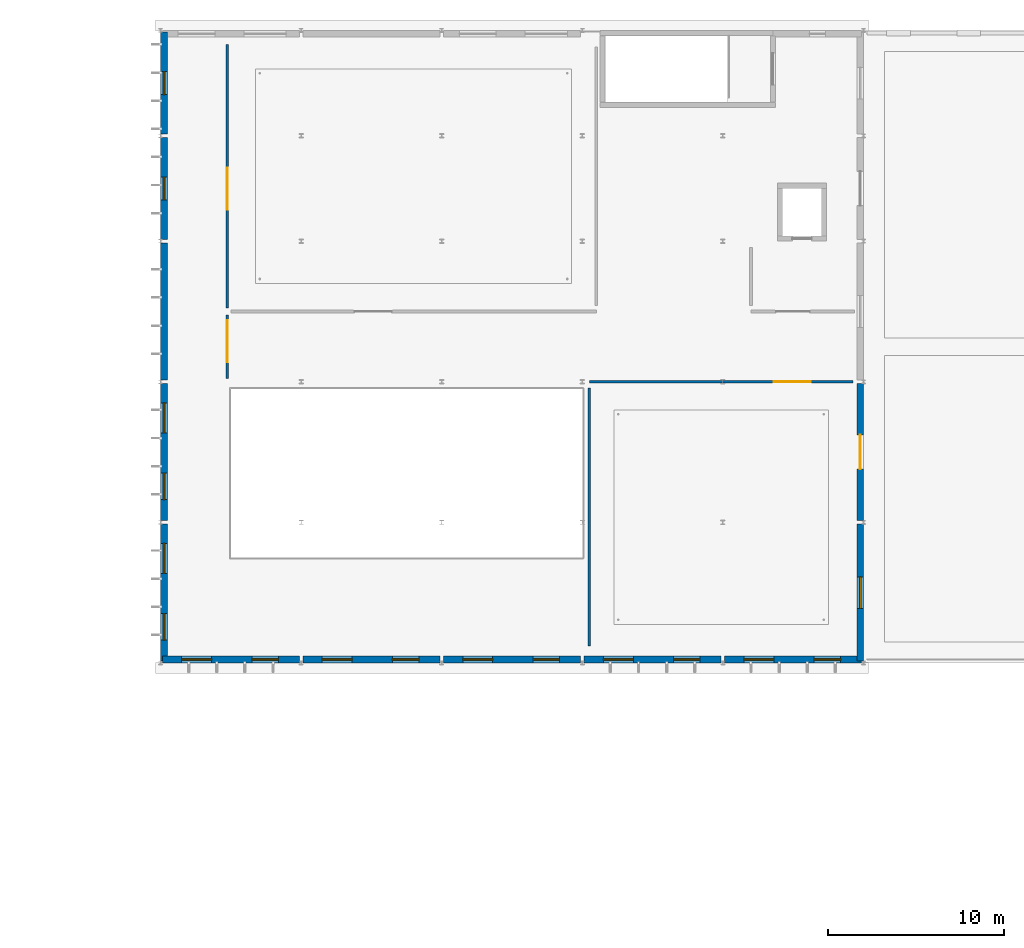
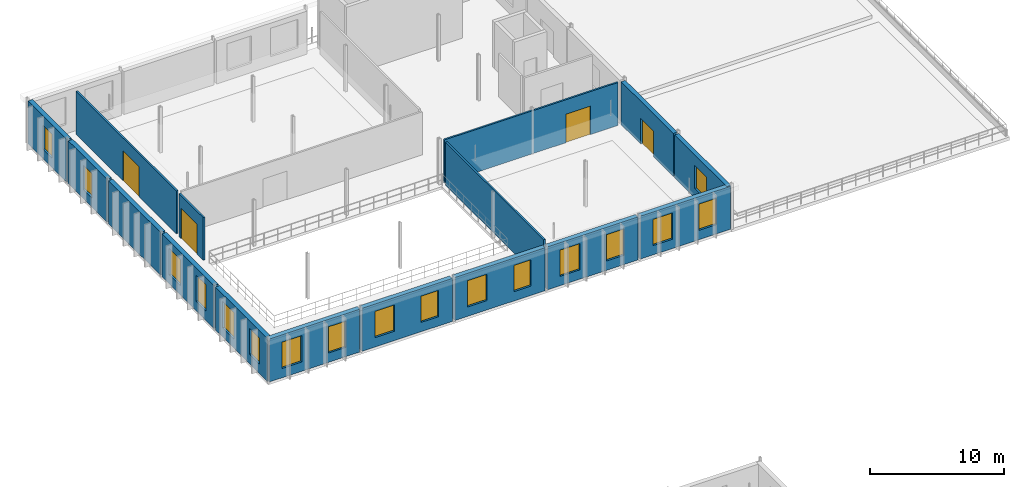
# One storey, part 40 of 67: 17 windows, 16 walls, 4 doors, 21 openings.
"""IFC4 building model written with IfcOpenShell, lengths in metres."""

from ifc_helpers import new_model, si_unit, direction, frame, frame_2d, origin, place, context, subcontext, project, spatial, rectangle, extrude, material, layer, layer_set, type_object, element, fill, save


model = new_model("IFC4")

# Units and contexts
model_context = context("Model", 3, precision=1e-05, world=origin(), true_north=direction((0.0, 1.0)))
body_context = subcontext(model_context, "Body", "Model", "MODEL_VIEW")
ifc_project = project(units=[si_unit("LENGTHUNIT", "METRE"), si_unit("AREAUNIT", "SQUARE_METRE"), si_unit("VOLUMEUNIT", "CUBIC_METRE"), si_unit("PLANEANGLEUNIT", "RADIAN"), si_unit("MASSUNIT", "GRAM", prefix="KILO")], contexts=[model_context])

# Site, building, storey
site_placement = place(None, origin())
site = spatial("IfcSite", under=ifc_project, at=site_placement, CompositionType="ELEMENT")
building_placement = place(site_placement, origin())
building = spatial("IfcBuilding", under=site, at=building_placement, Name="Sundkrona Museum", CompositionType="ELEMENT")
storey_placement = place(building_placement, frame((0.0, 0.0, 21.800048828125)))
storey = spatial("IfcBuildingStorey", under=building, at=storey_placement, Name="L04", CompositionType="ELEMENT", Elevation=21.800048828125)

# Wall, openings, windows
ifc_material_1 = material(Name="Scanian Polychrome Clay Brickwork 390 mm", Category="masonry")
ifc_layer_1 = layer(ifc_material_1, 0.389892578125)
ifc_layer_set_1 = layer_set([ifc_layer_1], Name="Scanian Polychrome Clay Brickwork 390 mm")
wall_type_1 = type_object("IfcWallType", Name="W-EX-390", PredefinedType="SOLIDWALL", material=ifc_layer_set_1)
wall_1_placement = place(storey_placement, frame((23.89794921875, 78.195068359375, 0.0), z_axis=(0.0, 0.0, 1.0), x_axis=(-1.0, 0.0, 0.0)))
wall_1 = element("IfcWall", 1, at=wall_1_placement, inside=storey, type_object=wall_type_1, Name="L04 Facade Wall 0174", PredefinedType="SOLIDWALL", context=body_context, shape_type="SweptSolid", body=[
    extrude(rectangle(XDim=7.7958984375, YDim=0.389892578125, at=frame_2d((3.89794921875, 0.0))), origin(), (0.0, 0.0, 1.0), 3.919921875),
])
opening_1_placement = place(wall_1_placement, frame((1.198974609375, 0.0, 0.85009765625)))
opening_1 = element("IfcOpeningElement", 2, at=opening_1_placement, cuts=wall_1, Name="Opening WN-GL-150x240", PredefinedType="OPENING", context=body_context, shape_type="SweptSolid", body=[
    extrude(rectangle(XDim=1.5, YDim=2.39990234375, at=frame_2d((0.75, 1.199951171875))), frame((0.0, 0.204833984375, 0.0), z_axis=(0.0, -1.0, 0.0), x_axis=(1.0, 0.0, 0.0)), (0.0, 0.0, 1.0), 0.409912109375),
])
opening_2_placement = place(wall_1_placement, frame((4.9970703125, 0.0, 0.85009765625)))
opening_2 = element("IfcOpeningElement", 3, at=opening_2_placement, cuts=wall_1, Name="Opening WN-GL-170x240", PredefinedType="OPENING", context=body_context, shape_type="SweptSolid", body=[
    extrude(rectangle(XDim=1.699951171875, YDim=2.39990234375, at=frame_2d((0.85009765625, 1.199951171875))), frame((0.0, 0.204833984375, 0.0), z_axis=(0.0, -1.0, 0.0), x_axis=(1.0, 0.0, 0.0)), (0.0, 0.0, 1.0), 0.409912109375),
])
ifc_material_2 = material(Name="Triple Low-E Argon Glazing in Bronze-Anodised Aluminium", Category="aluminium")
window_type_1 = type_object("IfcWindowType", Name="WN-GL-150x240", PartitioningType="SINGLE_PANEL", PredefinedType="WINDOW", material=ifc_material_2)
window_1_placement = place(opening_1_placement, origin())
window_1 = element("IfcWindow", 4, at=window_1_placement, inside=storey, type_object=window_type_1, Name="L04 Finned wing deep-reveal gallery window 1500x2400 WIN-L04-0243", OverallHeight=2.39990234375, OverallWidth=1.5, PartitioningType="SINGLE_PANEL", PredefinedType="WINDOW", context=body_context, shape_type="SweptSolid", body=[
    extrude(rectangle(XDim=1.5, YDim=2.39990234375, at=frame_2d((0.75, 1.199951171875))), frame((0.0, 0.030029296875, 0.0), z_axis=(0.0, -1.0, 0.0), x_axis=(1.0, 0.0, 0.0)), (0.0, 0.0, 1.0), 0.06005859375),
])
fill(opening_1, window_1)
window_type_2 = type_object("IfcWindowType", Name="WN-GL-170x240", PartitioningType="DOUBLE_PANEL_VERTICAL", PredefinedType="WINDOW", material=ifc_material_2)
window_2_placement = place(opening_2_placement, origin())
window_2 = element("IfcWindow", 5, at=window_2_placement, inside=storey, type_object=window_type_2, Name="L04 Finned wing wide gallery window 1700x2400 WIN-L04-0244", OverallHeight=2.39990234375, OverallWidth=1.699951171875, PartitioningType="DOUBLE_PANEL_VERTICAL", PredefinedType="WINDOW", context=body_context, shape_type="SweptSolid", body=[
    extrude(rectangle(XDim=1.699951171875, YDim=2.39990234375, at=frame_2d((0.85009765625, 1.199951171875))), frame((0.0, 0.030029296875, 0.0), z_axis=(0.0, -1.0, 0.0), x_axis=(1.0, 0.0, 0.0)), (0.0, 0.0, 1.0), 0.06005859375),
])
fill(opening_2, window_2)

wall_2_placement = place(storey_placement, frame((31.89794921875, 78.195068359375, 0.0), z_axis=(0.0, 0.0, 1.0), x_axis=(-1.0, 0.0, 0.0)))
wall_2 = element("IfcWall", 6, at=wall_2_placement, inside=storey, type_object=wall_type_1, Name="L04 Facade Wall 0175", PredefinedType="SOLIDWALL", context=body_context, shape_type="SweptSolid", body=[
    extrude(rectangle(XDim=7.7958984375, YDim=0.389892578125, at=frame_2d((3.89794921875, 0.0))), origin(), (0.0, 0.0, 1.0), 3.919921875),
])
opening_3_placement = place(wall_2_placement, frame((1.198974609375, 0.0, 0.85009765625)))
opening_3 = element("IfcOpeningElement", 7, at=opening_3_placement, cuts=wall_2, Name="Opening WN-GL-150x240", PredefinedType="OPENING", context=body_context, shape_type="SweptSolid", body=[
    extrude(rectangle(XDim=1.5, YDim=2.39990234375, at=frame_2d((0.75, 1.199951171875))), frame((0.0, 0.204833984375, 0.0), z_axis=(0.0, -1.0, 0.0), x_axis=(1.0, 0.0, 0.0)), (0.0, 0.0, 1.0), 0.409912109375),
])
opening_4_placement = place(wall_2_placement, frame((4.9970703125, 0.0, 0.85009765625)))
opening_4 = element("IfcOpeningElement", 8, at=opening_4_placement, cuts=wall_2, Name="Opening WN-GL-170x240", PredefinedType="OPENING", context=body_context, shape_type="SweptSolid", body=[
    extrude(rectangle(XDim=1.699951171875, YDim=2.39990234375, at=frame_2d((0.85009765625, 1.199951171875))), frame((0.0, 0.204833984375, 0.0), z_axis=(0.0, -1.0, 0.0), x_axis=(1.0, 0.0, 0.0)), (0.0, 0.0, 1.0), 0.409912109375),
])
window_3_placement = place(opening_3_placement, origin())
window_3 = element("IfcWindow", 9, at=window_3_placement, inside=storey, type_object=window_type_1, Name="L04 Finned wing deep-reveal gallery window 1500x2400 WIN-L04-0245", OverallHeight=2.39990234375, OverallWidth=1.5, PartitioningType="SINGLE_PANEL", PredefinedType="WINDOW", context=body_context, shape_type="SweptSolid", body=[
    extrude(rectangle(XDim=1.5, YDim=2.39990234375, at=frame_2d((0.75, 1.199951171875))), frame((0.0, 0.030029296875, 0.0), z_axis=(0.0, -1.0, 0.0), x_axis=(1.0, 0.0, 0.0)), (0.0, 0.0, 1.0), 0.06005859375),
])
fill(opening_3, window_3)
window_4_placement = place(opening_4_placement, origin())
window_4 = element("IfcWindow", 10, at=window_4_placement, inside=storey, type_object=window_type_2, Name="L04 Finned wing wide gallery window 1700x2400 WIN-L04-0246", OverallHeight=2.39990234375, OverallWidth=1.699951171875, PartitioningType="DOUBLE_PANEL_VERTICAL", PredefinedType="WINDOW", context=body_context, shape_type="SweptSolid", body=[
    extrude(rectangle(XDim=1.699951171875, YDim=2.39990234375, at=frame_2d((0.85009765625, 1.199951171875))), frame((0.0, 0.030029296875, 0.0), z_axis=(0.0, -1.0, 0.0), x_axis=(1.0, 0.0, 0.0)), (0.0, 0.0, 1.0), 0.06005859375),
])
fill(opening_4, window_4)

wall_3_placement = place(storey_placement, frame((39.89794921875, 78.195068359375, 0.0), z_axis=(0.0, 0.0, 1.0), x_axis=(-1.0, 0.0, 0.0)))
wall_3 = element("IfcWall", 11, at=wall_3_placement, inside=storey, type_object=wall_type_1, Name="L04 Facade Wall 0176", PredefinedType="SOLIDWALL", context=body_context, shape_type="SweptSolid", body=[
    extrude(rectangle(XDim=7.7958984375, YDim=0.389892578125, at=frame_2d((3.89794921875, 0.0))), origin(), (0.0, 0.0, 1.0), 3.919921875),
])
opening_5_placement = place(wall_3_placement, frame((1.198974609375, 0.0, 0.85009765625)))
opening_5 = element("IfcOpeningElement", 12, at=opening_5_placement, cuts=wall_3, Name="Opening WN-GL-150x240", PredefinedType="OPENING", context=body_context, shape_type="SweptSolid", body=[
    extrude(rectangle(XDim=1.5, YDim=2.39990234375, at=frame_2d((0.75, 1.199951171875))), frame((0.0, 0.204833984375, 0.0), z_axis=(0.0, -1.0, 0.0), x_axis=(1.0, 0.0, 0.0)), (0.0, 0.0, 1.0), 0.409912109375),
])
opening_6_placement = place(wall_3_placement, frame((4.9970703125, 0.0, 0.85009765625)))
opening_6 = element("IfcOpeningElement", 13, at=opening_6_placement, cuts=wall_3, Name="Opening WN-GL-170x240", PredefinedType="OPENING", context=body_context, shape_type="SweptSolid", body=[
    extrude(rectangle(XDim=1.699951171875, YDim=2.39990234375, at=frame_2d((0.85009765625, 1.199951171875))), frame((0.0, 0.204833984375, 0.0), z_axis=(0.0, -1.0, 0.0), x_axis=(1.0, 0.0, 0.0)), (0.0, 0.0, 1.0), 0.409912109375),
])
window_5_placement = place(opening_5_placement, origin())
window_5 = element("IfcWindow", 14, at=window_5_placement, inside=storey, type_object=window_type_1, Name="L04 Finned wing deep-reveal gallery window 1500x2400 WIN-L04-0247", OverallHeight=2.39990234375, OverallWidth=1.5, PartitioningType="SINGLE_PANEL", PredefinedType="WINDOW", context=body_context, shape_type="SweptSolid", body=[
    extrude(rectangle(XDim=1.5, YDim=2.39990234375, at=frame_2d((0.75, 1.199951171875))), frame((0.0, 0.030029296875, 0.0), z_axis=(0.0, -1.0, 0.0), x_axis=(1.0, 0.0, 0.0)), (0.0, 0.0, 1.0), 0.06005859375),
])
fill(opening_5, window_5)
window_6_placement = place(opening_6_placement, origin())
window_6 = element("IfcWindow", 15, at=window_6_placement, inside=storey, type_object=window_type_2, Name="L04 Finned wing wide gallery window 1700x2400 WIN-L04-0248", OverallHeight=2.39990234375, OverallWidth=1.699951171875, PartitioningType="DOUBLE_PANEL_VERTICAL", PredefinedType="WINDOW", context=body_context, shape_type="SweptSolid", body=[
    extrude(rectangle(XDim=1.699951171875, YDim=2.39990234375, at=frame_2d((0.85009765625, 1.199951171875))), frame((0.0, 0.030029296875, 0.0), z_axis=(0.0, -1.0, 0.0), x_axis=(1.0, 0.0, 0.0)), (0.0, 0.0, 1.0), 0.06005859375),
])
fill(opening_6, window_6)

wall_4_placement = place(storey_placement, frame((47.89794921875, 78.195068359375, 0.0), z_axis=(0.0, 0.0, 1.0), x_axis=(-1.0, 0.0, 0.0)))
wall_4 = element("IfcWall", 16, at=wall_4_placement, inside=storey, type_object=wall_type_1, Name="L04 Facade Wall 0177", PredefinedType="SOLIDWALL", context=body_context, shape_type="SweptSolid", body=[
    extrude(rectangle(XDim=7.7958984375, YDim=0.389892578125, at=frame_2d((3.89794921875, 0.0))), origin(), (0.0, 0.0, 1.0), 3.919921875),
])
opening_7_placement = place(wall_4_placement, frame((1.198974609375, 0.0, 0.85009765625)))
opening_7 = element("IfcOpeningElement", 17, at=opening_7_placement, cuts=wall_4, Name="Opening WN-GL-150x240", PredefinedType="OPENING", context=body_context, shape_type="SweptSolid", body=[
    extrude(rectangle(XDim=1.5, YDim=2.39990234375, at=frame_2d((0.75, 1.199951171875))), frame((0.0, 0.204833984375, 0.0), z_axis=(0.0, -1.0, 0.0), x_axis=(1.0, 0.0, 0.0)), (0.0, 0.0, 1.0), 0.409912109375),
])
opening_8_placement = place(wall_4_placement, frame((4.9970703125, 0.0, 0.85009765625)))
opening_8 = element("IfcOpeningElement", 18, at=opening_8_placement, cuts=wall_4, Name="Opening WN-GL-170x240", PredefinedType="OPENING", context=body_context, shape_type="SweptSolid", body=[
    extrude(rectangle(XDim=1.699951171875, YDim=2.39990234375, at=frame_2d((0.85009765625, 1.199951171875))), frame((0.0, 0.204833984375, 0.0), z_axis=(0.0, -1.0, 0.0), x_axis=(1.0, 0.0, 0.0)), (0.0, 0.0, 1.0), 0.409912109375),
])
window_7_placement = place(opening_7_placement, origin())
window_7 = element("IfcWindow", 19, at=window_7_placement, inside=storey, type_object=window_type_1, Name="L04 Finned wing deep-reveal gallery window 1500x2400 WIN-L04-0249", OverallHeight=2.39990234375, OverallWidth=1.5, PartitioningType="SINGLE_PANEL", PredefinedType="WINDOW", context=body_context, shape_type="SweptSolid", body=[
    extrude(rectangle(XDim=1.5, YDim=2.39990234375, at=frame_2d((0.75, 1.199951171875))), frame((0.0, 0.030029296875, 0.0), z_axis=(0.0, -1.0, 0.0), x_axis=(1.0, 0.0, 0.0)), (0.0, 0.0, 1.0), 0.06005859375),
])
fill(opening_7, window_7)
window_8_placement = place(opening_8_placement, origin())
window_8 = element("IfcWindow", 20, at=window_8_placement, inside=storey, type_object=window_type_2, Name="L04 Finned wing wide gallery window 1700x2400 WIN-L04-0250", OverallHeight=2.39990234375, OverallWidth=1.699951171875, PartitioningType="DOUBLE_PANEL_VERTICAL", PredefinedType="WINDOW", context=body_context, shape_type="SweptSolid", body=[
    extrude(rectangle(XDim=1.699951171875, YDim=2.39990234375, at=frame_2d((0.85009765625, 1.199951171875))), frame((0.0, 0.030029296875, 0.0), z_axis=(0.0, -1.0, 0.0), x_axis=(1.0, 0.0, 0.0)), (0.0, 0.0, 1.0), 0.06005859375),
])
fill(opening_8, window_8)

wall_5_placement = place(storey_placement, frame((55.89794921875, 78.195068359375, 0.0), z_axis=(0.0, 0.0, 1.0), x_axis=(-1.0, 0.0, 0.0)))
wall_5 = element("IfcWall", 21, at=wall_5_placement, inside=storey, type_object=wall_type_1, Name="L04 Facade Wall 0178", PredefinedType="SOLIDWALL", context=body_context, shape_type="SweptSolid", body=[
    extrude(rectangle(XDim=7.7958984375, YDim=0.389892578125, at=frame_2d((3.89794921875, 0.0))), origin(), (0.0, 0.0, 1.0), 3.919921875),
])
opening_9_placement = place(wall_5_placement, frame((1.198974609375, 0.0, 0.85009765625)))
opening_9 = element("IfcOpeningElement", 22, at=opening_9_placement, cuts=wall_5, Name="Opening WN-GL-150x240", PredefinedType="OPENING", context=body_context, shape_type="SweptSolid", body=[
    extrude(rectangle(XDim=1.5, YDim=2.39990234375, at=frame_2d((0.75, 1.199951171875))), frame((0.0, 0.204833984375, 0.0), z_axis=(0.0, -1.0, 0.0), x_axis=(1.0, 0.0, 0.0)), (0.0, 0.0, 1.0), 0.409912109375),
])
opening_10_placement = place(wall_5_placement, frame((4.9970703125, 0.0, 0.85009765625)))
opening_10 = element("IfcOpeningElement", 23, at=opening_10_placement, cuts=wall_5, Name="Opening WN-GL-170x240", PredefinedType="OPENING", context=body_context, shape_type="SweptSolid", body=[
    extrude(rectangle(XDim=1.699951171875, YDim=2.39990234375, at=frame_2d((0.85009765625, 1.199951171875))), frame((0.0, 0.204833984375, 0.0), z_axis=(0.0, -1.0, 0.0), x_axis=(1.0, 0.0, 0.0)), (0.0, 0.0, 1.0), 0.409912109375),
])
window_9_placement = place(opening_9_placement, origin())
window_9 = element("IfcWindow", 24, at=window_9_placement, inside=storey, type_object=window_type_1, Name="L04 Finned wing deep-reveal gallery window 1500x2400 WIN-L04-0251", OverallHeight=2.39990234375, OverallWidth=1.5, PartitioningType="SINGLE_PANEL", PredefinedType="WINDOW", context=body_context, shape_type="SweptSolid", body=[
    extrude(rectangle(XDim=1.5, YDim=2.39990234375, at=frame_2d((0.75, 1.199951171875))), frame((0.0, 0.030029296875, 0.0), z_axis=(0.0, -1.0, 0.0), x_axis=(1.0, 0.0, 0.0)), (0.0, 0.0, 1.0), 0.06005859375),
])
fill(opening_9, window_9)
window_10_placement = place(opening_10_placement, origin())
window_10 = element("IfcWindow", 25, at=window_10_placement, inside=storey, type_object=window_type_2, Name="L04 Finned wing wide gallery window 1700x2400 WIN-L04-0252", OverallHeight=2.39990234375, OverallWidth=1.699951171875, PartitioningType="DOUBLE_PANEL_VERTICAL", PredefinedType="WINDOW", context=body_context, shape_type="SweptSolid", body=[
    extrude(rectangle(XDim=1.699951171875, YDim=2.39990234375, at=frame_2d((0.85009765625, 1.199951171875))), frame((0.0, 0.030029296875, 0.0), z_axis=(0.0, -1.0, 0.0), x_axis=(1.0, 0.0, 0.0)), (0.0, 0.0, 1.0), 0.06005859375),
])
fill(opening_10, window_10)

wall_6_placement = place(storey_placement, frame((16.195068359375, 78.10205078125, 0.0), z_axis=(0.0, 0.0, 1.0), x_axis=(0.0, 1.0, 0.0)))
wall_6 = element("IfcWall", 26, at=wall_6_placement, inside=storey, type_object=wall_type_1, Name="L04 Facade Wall 0179", PredefinedType="SOLIDWALL", context=body_context, shape_type="SweptSolid", body=[
    extrude(rectangle(XDim=7.7958984375, YDim=0.389892578125, at=frame_2d((3.89794921875, 0.0))), origin(), (0.0, 0.0, 1.0), 3.919921875),
])
opening_11_placement = place(wall_6_placement, frame((1.198974609375, 0.0, 0.85009765625)))
opening_11 = element("IfcOpeningElement", 27, at=opening_11_placement, cuts=wall_6, Name="Opening WN-GL-150x240", PredefinedType="OPENING", context=body_context, shape_type="SweptSolid", body=[
    extrude(rectangle(XDim=1.5, YDim=2.39990234375, at=frame_2d((0.75, 1.199951171875))), frame((0.0, 0.204833984375, 0.0), z_axis=(0.0, -1.0, 0.0), x_axis=(1.0, 0.0, 0.0)), (0.0, 0.0, 1.0), 0.409912109375),
])
opening_12_placement = place(wall_6_placement, frame((4.9970703125, 0.0, 0.85009765625)))
opening_12 = element("IfcOpeningElement", 28, at=opening_12_placement, cuts=wall_6, Name="Opening WN-GL-170x240", PredefinedType="OPENING", context=body_context, shape_type="SweptSolid", body=[
    extrude(rectangle(XDim=1.699951171875, YDim=2.39990234375, at=frame_2d((0.85009765625, 1.199951171875))), frame((0.0, 0.204833984375, 0.0), z_axis=(0.0, -1.0, 0.0), x_axis=(1.0, 0.0, 0.0)), (0.0, 0.0, 1.0), 0.409912109375),
])
window_11_placement = place(opening_11_placement, origin())
window_11 = element("IfcWindow", 29, at=window_11_placement, inside=storey, type_object=window_type_1, Name="L04 Finned wing deep-reveal gallery window 1500x2400 WIN-L04-0253", OverallHeight=2.39990234375, OverallWidth=1.5, PartitioningType="SINGLE_PANEL", PredefinedType="WINDOW", context=body_context, shape_type="SweptSolid", body=[
    extrude(rectangle(XDim=1.5, YDim=2.39990234375, at=frame_2d((0.75, 1.199951171875))), frame((0.0, 0.030029296875, 0.0), z_axis=(0.0, -1.0, 0.0), x_axis=(1.0, 0.0, 0.0)), (0.0, 0.0, 1.0), 0.06005859375),
])
fill(opening_11, window_11)
window_12_placement = place(opening_12_placement, origin())
window_12 = element("IfcWindow", 30, at=window_12_placement, inside=storey, type_object=window_type_2, Name="L04 Finned wing wide gallery window 1700x2400 WIN-L04-0254", OverallHeight=2.39990234375, OverallWidth=1.699951171875, PartitioningType="DOUBLE_PANEL_VERTICAL", PredefinedType="WINDOW", context=body_context, shape_type="SweptSolid", body=[
    extrude(rectangle(XDim=1.699951171875, YDim=2.39990234375, at=frame_2d((0.85009765625, 1.199951171875))), frame((0.0, 0.030029296875, 0.0), z_axis=(0.0, -1.0, 0.0), x_axis=(1.0, 0.0, 0.0)), (0.0, 0.0, 1.0), 0.06005859375),
])
fill(opening_12, window_12)

wall_7_placement = place(storey_placement, frame((16.195068359375, 86.10205078125, 0.0), z_axis=(0.0, 0.0, 1.0), x_axis=(0.0, 1.0, 0.0)))
wall_7 = element("IfcWall", 31, at=wall_7_placement, inside=storey, type_object=wall_type_1, Name="L04 Facade Wall 0180", PredefinedType="SOLIDWALL", context=body_context, shape_type="SweptSolid", body=[
    extrude(rectangle(XDim=7.7958984375, YDim=0.389892578125, at=frame_2d((3.89794921875, 0.0))), origin(), (0.0, 0.0, 1.0), 3.919921875),
])
opening_13_placement = place(wall_7_placement, frame((1.198974609375, 0.0, 0.85009765625)))
opening_13 = element("IfcOpeningElement", 32, at=opening_13_placement, cuts=wall_7, Name="Opening WN-GL-150x240", PredefinedType="OPENING", context=body_context, shape_type="SweptSolid", body=[
    extrude(rectangle(XDim=1.5, YDim=2.39990234375, at=frame_2d((0.75, 1.199951171875))), frame((0.0, 0.204833984375, 0.0), z_axis=(0.0, -1.0, 0.0), x_axis=(1.0, 0.0, 0.0)), (0.0, 0.0, 1.0), 0.409912109375),
])
opening_14_placement = place(wall_7_placement, frame((4.9970703125, 0.0, 0.85009765625)))
opening_14 = element("IfcOpeningElement", 33, at=opening_14_placement, cuts=wall_7, Name="Opening WN-GL-170x240", PredefinedType="OPENING", context=body_context, shape_type="SweptSolid", body=[
    extrude(rectangle(XDim=1.699951171875, YDim=2.39990234375, at=frame_2d((0.85009765625, 1.199951171875))), frame((0.0, 0.204833984375, 0.0), z_axis=(0.0, -1.0, 0.0), x_axis=(1.0, 0.0, 0.0)), (0.0, 0.0, 1.0), 0.409912109375),
])
window_13_placement = place(opening_13_placement, origin())
window_13 = element("IfcWindow", 34, at=window_13_placement, inside=storey, type_object=window_type_1, Name="L04 Finned wing deep-reveal gallery window 1500x2400 WIN-L04-0255", OverallHeight=2.39990234375, OverallWidth=1.5, PartitioningType="SINGLE_PANEL", PredefinedType="WINDOW", context=body_context, shape_type="SweptSolid", body=[
    extrude(rectangle(XDim=1.5, YDim=2.39990234375, at=frame_2d((0.75, 1.199951171875))), frame((0.0, 0.030029296875, 0.0), z_axis=(0.0, -1.0, 0.0), x_axis=(1.0, 0.0, 0.0)), (0.0, 0.0, 1.0), 0.06005859375),
])
fill(opening_13, window_13)
window_14_placement = place(opening_14_placement, origin())
window_14 = element("IfcWindow", 35, at=window_14_placement, inside=storey, type_object=window_type_2, Name="L04 Finned wing wide gallery window 1700x2400 WIN-L04-0256", OverallHeight=2.39990234375, OverallWidth=1.699951171875, PartitioningType="DOUBLE_PANEL_VERTICAL", PredefinedType="WINDOW", context=body_context, shape_type="SweptSolid", body=[
    extrude(rectangle(XDim=1.699951171875, YDim=2.39990234375, at=frame_2d((0.85009765625, 1.199951171875))), frame((0.0, 0.030029296875, 0.0), z_axis=(0.0, -1.0, 0.0), x_axis=(1.0, 0.0, 0.0)), (0.0, 0.0, 1.0), 0.06005859375),
])
fill(opening_14, window_14)

# Wall
wall_8_placement = place(storey_placement, frame((16.195068359375, 94.10205078125, 0.0), z_axis=(0.0, 0.0, 1.0), x_axis=(0.0, 1.0, 0.0)))
element("IfcWall", 36, at=wall_8_placement, inside=storey, type_object=wall_type_1, Name="L04 Facade Wall 0181", PredefinedType="SOLIDWALL", context=body_context, shape_type="SweptSolid", body=[
    extrude(rectangle(XDim=7.7958984375, YDim=0.389892578125, at=frame_2d((3.89794921875, 0.0))), origin(), (0.0, 0.0, 1.0), 3.919921875),
])

# Wall, opening, window
wall_9_placement = place(storey_placement, frame((16.195068359375, 102.10205078125, 0.0), z_axis=(0.0, 0.0, 1.0), x_axis=(0.0, 1.0, 0.0)))
wall_9 = element("IfcWall", 37, at=wall_9_placement, inside=storey, type_object=wall_type_1, Name="L04 Facade Wall 0182", PredefinedType="SOLIDWALL", context=body_context, shape_type="SweptSolid", body=[
    extrude(rectangle(XDim=5.7958984375, YDim=0.389892578125, at=frame_2d((2.89794921875, 0.0))), origin(), (0.0, 0.0, 1.0), 3.919921875),
])
opening_15_placement = place(wall_9_placement, frame((2.248046875, 0.0, 0.85009765625)))
opening_15 = element("IfcOpeningElement", 38, at=opening_15_placement, cuts=wall_9, Name="Opening WN-GL-130x220", PredefinedType="OPENING", context=body_context, shape_type="SweptSolid", body=[
    extrude(rectangle(XDim=1.300048828125, YDim=2.199951171875, at=frame_2d((0.64990234375, 1.10009765625))), frame((0.0, 0.204833984375, 0.0), z_axis=(0.0, -1.0, 0.0), x_axis=(1.0, 0.0, 0.0)), (0.0, 0.0, 1.0), 0.409912109375),
])
window_type_3 = type_object("IfcWindowType", Name="WN-GL-130x220", PartitioningType="SINGLE_PANEL", PredefinedType="WINDOW", material=ifc_material_2)
window_15_placement = place(opening_15_placement, origin())
window_15 = element("IfcWindow", 39, at=window_15_placement, inside=storey, type_object=window_type_3, Name="L04 Cabinet gallery window 1300x2200 WIN-L04-0257", OverallHeight=2.199951171875, OverallWidth=1.300048828125, PartitioningType="SINGLE_PANEL", PredefinedType="WINDOW", context=body_context, shape_type="SweptSolid", body=[
    extrude(rectangle(XDim=1.300048828125, YDim=2.199951171875, at=frame_2d((0.64990234375, 1.10009765625))), frame((0.0, 0.030029296875, 0.0), z_axis=(0.0, -1.0, 0.0), x_axis=(1.0, 0.0, 0.0)), (0.0, 0.0, 1.0), 0.06005859375),
])
fill(opening_15, window_15)

wall_10_placement = place(storey_placement, frame((16.195068359375, 108.10205078125, 0.0), z_axis=(0.0, 0.0, 1.0), x_axis=(0.0, 1.0, 0.0)))
wall_10 = element("IfcWall", 40, at=wall_10_placement, inside=storey, type_object=wall_type_1, Name="L04 Facade Wall 0183", PredefinedType="SOLIDWALL", context=body_context, shape_type="SweptSolid", body=[
    extrude(rectangle(XDim=5.7958984375, YDim=0.389892578125, at=frame_2d((2.89794921875, 0.0))), origin(), (0.0, 0.0, 1.0), 3.919921875),
])
opening_16_placement = place(wall_10_placement, frame((2.248046875, 0.0, 0.85009765625)))
opening_16 = element("IfcOpeningElement", 41, at=opening_16_placement, cuts=wall_10, Name="Opening WN-GL-130x220", PredefinedType="OPENING", context=body_context, shape_type="SweptSolid", body=[
    extrude(rectangle(XDim=1.300048828125, YDim=2.199951171875, at=frame_2d((0.64990234375, 1.10009765625))), frame((0.0, 0.204833984375, 0.0), z_axis=(0.0, -1.0, 0.0), x_axis=(1.0, 0.0, 0.0)), (0.0, 0.0, 1.0), 0.409912109375),
])
window_16_placement = place(opening_16_placement, origin())
window_16 = element("IfcWindow", 42, at=window_16_placement, inside=storey, type_object=window_type_3, Name="L04 Cabinet gallery window 1300x2200 WIN-L04-0258", OverallHeight=2.199951171875, OverallWidth=1.300048828125, PartitioningType="SINGLE_PANEL", PredefinedType="WINDOW", context=body_context, shape_type="SweptSolid", body=[
    extrude(rectangle(XDim=1.300048828125, YDim=2.199951171875, at=frame_2d((0.64990234375, 1.10009765625))), frame((0.0, 0.030029296875, 0.0), z_axis=(0.0, -1.0, 0.0), x_axis=(1.0, 0.0, 0.0)), (0.0, 0.0, 1.0), 0.06005859375),
])
fill(opening_16, window_16)

# Wall, opening, door
ifc_material_3 = material(Name="Acoustic Gypsum Partition Board 150 mm", Category="other")
ifc_layer_2 = layer(ifc_material_3, 0.14990234375)
ifc_layer_set_2 = layer_set([ifc_layer_2], Name="Acoustic Gypsum Partition Board 150 mm")
wall_type_2 = type_object("IfcWallType", Name="W-PT-150", PredefinedType="PARTITIONING", material=ifc_layer_set_2)
wall_11_placement = place(storey_placement, frame((19.800048828125, 94.199951171875, 0.0), z_axis=(0.0, 0.0, 1.0), x_axis=(0.0, 1.0, 0.0)))
wall_11 = element("IfcWall", 43, at=wall_11_placement, inside=storey, type_object=wall_type_2, Name="L04 Partition Roof Terrace Foyer Corridor / Modernisme Decorative Arts Gallery", PredefinedType="PARTITIONING", context=body_context, shape_type="SweptSolid", body=[
    extrude(rectangle(XDim=3.60009765625, YDim=0.14990234375, at=frame_2d((1.800048828125, 0.0))), origin(), (0.0, 0.0, 1.0), 3.919921875),
])
opening_17_placement = place(wall_11_placement, frame((0.89990234375, 0.0, 0.0)))
opening_17 = element("IfcOpeningElement", 44, at=opening_17_placement, cuts=wall_11, Name="Opening D-GAL-240", PredefinedType="OPENING", context=body_context, shape_type="SweptSolid", body=[
    extrude(rectangle(XDim=2.39990234375, YDim=2.75, at=frame_2d((1.199951171875, 1.375))), frame((0.0, 0.0849609375, 0.0), z_axis=(0.0, -1.0, 0.0), x_axis=(1.0, 0.0, 0.0)), (0.0, 0.0, 1.0), 0.169921875),
])
ifc_material_4 = material(Name="European Oak and Bronze Portal", Category="other")
door_type_1 = type_object("IfcDoorType", Name="D-GAL-240", OperationType="DOUBLE_DOOR_DOUBLE_SWING", PredefinedType="DOOR", material=ifc_material_4)
door_1_placement = place(opening_17_placement, origin())
door_1 = element("IfcDoor", 45, at=door_1_placement, inside=storey, type_object=door_type_1, Name="L04 Interior Door DR-ADJ-L04-0200", OperationType="DOUBLE_DOOR_DOUBLE_SWING", OverallHeight=2.75, OverallWidth=2.39990234375, PredefinedType="DOOR", context=body_context, shape_type="SweptSolid", body=[
    extrude(rectangle(XDim=2.39990234375, YDim=2.75, at=frame_2d((1.199951171875, 1.375))), frame((0.0, 0.02490234375, 0.0), z_axis=(0.0, -1.0, 0.0), x_axis=(1.0, 0.0, 0.0)), (0.0, 0.0, 1.0), 0.050048828125),
])
fill(opening_17, door_1)

wall_12_placement = place(storey_placement, frame((40.39990234375, 94.0, 0.0), z_axis=(0.0, 0.0, 1.0), x_axis=(1.0, 0.0, 0.0)))
wall_12 = element("IfcWall", 46, at=wall_12_placement, inside=storey, type_object=wall_type_2, Name="L04 Partition Roof Terrace Foyer Corridor / Botanical Illustration Gallery", PredefinedType="PARTITIONING", context=body_context, shape_type="SweptSolid", body=[
    extrude(rectangle(XDim=15.0, YDim=0.14990234375, at=frame_2d((7.5, 0.0))), origin(), (0.0, 0.0, 1.0), 3.919921875),
])
opening_18_placement = place(wall_12_placement, frame((10.491455078125, 0.0, 0.0)))
opening_18 = element("IfcOpeningElement", 47, at=opening_18_placement, cuts=wall_12, Name="Opening D-GAL-210", PredefinedType="OPENING", context=body_context, shape_type="SweptSolid", body=[
    extrude(rectangle(XDim=2.10009765625, YDim=2.60009765625, at=frame_2d((1.050048828125, 1.300048828125))), frame((0.0, 0.0849609375, 0.0), z_axis=(0.0, -1.0, 0.0), x_axis=(1.0, 0.0, 0.0)), (0.0, 0.0, 1.0), 0.169921875),
])
ifc_material_5 = material(Name="European Oak Gallery Door", Category="other")
door_type_2 = type_object("IfcDoorType", Name="D-GAL-210", OperationType="DOUBLE_DOOR_SINGLE_SWING", PredefinedType="DOOR", material=ifc_material_5)
door_2_placement = place(opening_18_placement, origin())
door_2 = element("IfcDoor", 48, at=door_2_placement, inside=storey, type_object=door_type_2, Name="L04 Interior Door DR-ADJ-L04-0202", OperationType="DOUBLE_DOOR_SINGLE_SWING", OverallHeight=2.60009765625, OverallWidth=2.10009765625, PredefinedType="DOOR", context=body_context, shape_type="SweptSolid", body=[
    extrude(rectangle(XDim=2.10009765625, YDim=2.60009765625, at=frame_2d((1.050048828125, 1.300048828125))), frame((0.0, 0.02490234375, 0.0), z_axis=(0.0, -1.0, 0.0), x_axis=(1.0, 0.0, 0.0)), (0.0, 0.0, 1.0), 0.050048828125),
])
fill(opening_18, door_2)

wall_13_placement = place(storey_placement, frame((19.800048828125, 98.199951171875, 0.0), z_axis=(0.0, 0.0, 1.0), x_axis=(0.0, 1.0, 0.0)))
wall_13 = element("IfcWall", 49, at=wall_13_placement, inside=storey, type_object=wall_type_2, Name="L04 Partition Modernisme Decorative Arts Gallery / Design and Architecture Cabinet", PredefinedType="PARTITIONING", context=body_context, shape_type="SweptSolid", body=[
    extrude(rectangle(XDim=15.0, YDim=0.14990234375, at=frame_2d((7.5, 0.0))), origin(), (0.0, 0.0, 1.0), 3.919921875),
])
opening_19_placement = place(wall_13_placement, frame((5.593994140625, 0.0, 0.0)))
opening_19 = element("IfcOpeningElement", 50, at=opening_19_placement, cuts=wall_13, Name="Opening D-GAL-240", PredefinedType="OPENING", context=body_context, shape_type="SweptSolid", body=[
    extrude(rectangle(XDim=2.39990234375, YDim=2.75, at=frame_2d((1.199951171875, 1.375))), frame((0.0, 0.0849609375, 0.0), z_axis=(0.0, -1.0, 0.0), x_axis=(1.0, 0.0, 0.0)), (0.0, 0.0, 1.0), 0.169921875),
])
door_3_placement = place(opening_19_placement, origin())
door_3 = element("IfcDoor", 51, at=door_3_placement, inside=storey, type_object=door_type_1, Name="L04 Interior Door DR-ADJ-L04-0203", OperationType="DOUBLE_DOOR_DOUBLE_SWING", OverallHeight=2.75, OverallWidth=2.39990234375, PredefinedType="DOOR", context=body_context, shape_type="SweptSolid", body=[
    extrude(rectangle(XDim=2.39990234375, YDim=2.75, at=frame_2d((1.199951171875, 1.375))), frame((0.0, 0.02490234375, 0.0), z_axis=(0.0, -1.0, 0.0), x_axis=(1.0, 0.0, 0.0)), (0.0, 0.0, 1.0), 0.050048828125),
])
fill(opening_19, door_3)

# Wall
wall_14_placement = place(storey_placement, frame((40.39990234375, 78.949951171875, 0.0), z_axis=(0.0, 0.0, 1.0), x_axis=(0.0, 1.0, 0.0)))
element("IfcWall", 52, at=wall_14_placement, inside=storey, type_object=wall_type_2, Name="L04 Botanical Illustration Gallery Enclosure Wall W", PredefinedType="PARTITIONING", context=body_context, shape_type="SweptSolid", body=[
    extrude(rectangle(XDim=14.699951171875, YDim=0.14990234375, at=frame_2d((7.35009765625, 0.0))), origin(), (0.0, 0.0, 1.0), 3.919921875),
])

# Wall, opening, window
ifc_material_6 = material(Name="Vitrified Stoneware Mosaic Cladding 360 mm", Category="masonry")
ifc_layer_3 = layer(ifc_material_6, 0.360107421875)
ifc_layer_set_3 = layer_set([ifc_layer_3], Name="Vitrified Stoneware Mosaic Cladding 360 mm")
wall_type_3 = type_object("IfcWallType", Name="W-SP-360", PredefinedType="ELEMENTEDWALL", material=ifc_layer_set_3)
wall_15_placement = place(storey_placement, frame((55.820068359375, 85.89794921875, 0.0), z_axis=(0.0, 0.0, 1.0), x_axis=(0.0, -1.0, 0.0)))
wall_15 = element("IfcWall", 53, at=wall_15_placement, inside=storey, type_object=wall_type_3, Name="L04 Facade Wall 0188", PredefinedType="ELEMENTEDWALL", context=body_context, shape_type="SweptSolid", body=[
    extrude(rectangle(XDim=7.7958984375, YDim=0.360107421875, at=frame_2d((3.89794921875, 0.0))), origin(), (0.0, 0.0, 1.0), 3.919921875),
])
opening_20_placement = place(wall_15_placement, frame((2.998046875, 0.0, 0.85009765625)))
opening_20 = element("IfcOpeningElement", 54, at=opening_20_placement, cuts=wall_15, Name="Opening WN-ED-180x210", PredefinedType="OPENING", context=body_context, shape_type="SweptSolid", body=[
    extrude(rectangle(XDim=1.800048828125, YDim=2.10009765625, at=frame_2d((0.89990234375, 1.050048828125))), frame((0.0, 0.18994140625, 0.0), z_axis=(0.0, -1.0, 0.0), x_axis=(1.0, 0.0, 0.0)), (0.0, 0.0, 1.0), 0.380126953125),
])
window_type_4 = type_object("IfcWindowType", Name="WN-ED-180x210", PartitioningType="DOUBLE_PANEL_VERTICAL", PredefinedType="WINDOW", material=ifc_material_2)
window_17_placement = place(opening_20_placement, origin())
window_17 = element("IfcWindow", 55, at=window_17_placement, inside=storey, type_object=window_type_4, Name="L04 Education studio courtyard window 1800x2100 WIN-L04-0264", OverallHeight=2.10009765625, OverallWidth=1.800048828125, PartitioningType="DOUBLE_PANEL_VERTICAL", PredefinedType="WINDOW", context=body_context, shape_type="SweptSolid", body=[
    extrude(rectangle(XDim=1.800048828125, YDim=2.10009765625, at=frame_2d((0.89990234375, 1.050048828125))), frame((0.0, 0.030029296875, 0.0), z_axis=(0.0, -1.0, 0.0), x_axis=(1.0, 0.0, 0.0)), (0.0, 0.0, 1.0), 0.06005859375),
])
fill(opening_20, window_17)

# Wall, opening, door
wall_16_placement = place(storey_placement, frame((55.820068359375, 93.89794921875, 0.0), z_axis=(0.0, 0.0, 1.0), x_axis=(0.0, -1.0, 0.0)))
wall_16 = element("IfcWall", 56, at=wall_16_placement, inside=storey, type_object=wall_type_3, Name="L04 Facade Wall 0189", PredefinedType="ELEMENTEDWALL", context=body_context, shape_type="SweptSolid", body=[
    extrude(rectangle(XDim=7.7958984375, YDim=0.360107421875, at=frame_2d((3.89794921875, 0.0))), origin(), (0.0, 0.0, 1.0), 3.919921875),
])
opening_21_placement = place(wall_16_placement, frame((2.923095703125, 0.0, 0.0)))
opening_21 = element("IfcOpeningElement", 57, at=opening_21_placement, cuts=wall_16, Name="Opening D-TR-195", PredefinedType="OPENING", context=body_context, shape_type="SweptSolid", body=[
    extrude(rectangle(XDim=1.949951171875, YDim=2.35009765625, at=frame_2d((0.97509765625, 1.175048828125))), frame((0.0, 0.18994140625, 0.0), z_axis=(0.0, -1.0, 0.0), x_axis=(1.0, 0.0, 0.0)), (0.0, 0.0, 1.0), 0.380126953125),
])
ifc_material_7 = material(Name="Triple-Glazed Aluminium Terrace Door", Category="aluminium")
door_type_3 = type_object("IfcDoorType", Name="D-TR-195", OperationType="DOUBLE_DOOR_SINGLE_SWING", PredefinedType="DOOR", material=ifc_material_7)
door_4_placement = place(opening_21_placement, origin())
door_4 = element("IfcDoor", 58, at=door_4_placement, inside=storey, type_object=door_type_3, Name="L04 Exterior Door D-TR-195 DR-L04-TR3-86", OperationType="DOUBLE_DOOR_SINGLE_SWING", OverallHeight=2.35009765625, OverallWidth=1.949951171875, PredefinedType="DOOR", context=body_context, shape_type="SweptSolid", body=[
    extrude(rectangle(XDim=1.949951171875, YDim=2.35009765625, at=frame_2d((0.97509765625, 1.175048828125))), frame((0.0, 0.02490234375, 0.0), z_axis=(0.0, -1.0, 0.0), x_axis=(1.0, 0.0, 0.0)), (0.0, 0.0, 1.0), 0.050048828125),
])
fill(opening_21, door_4)

save(model, "model.ifc")
